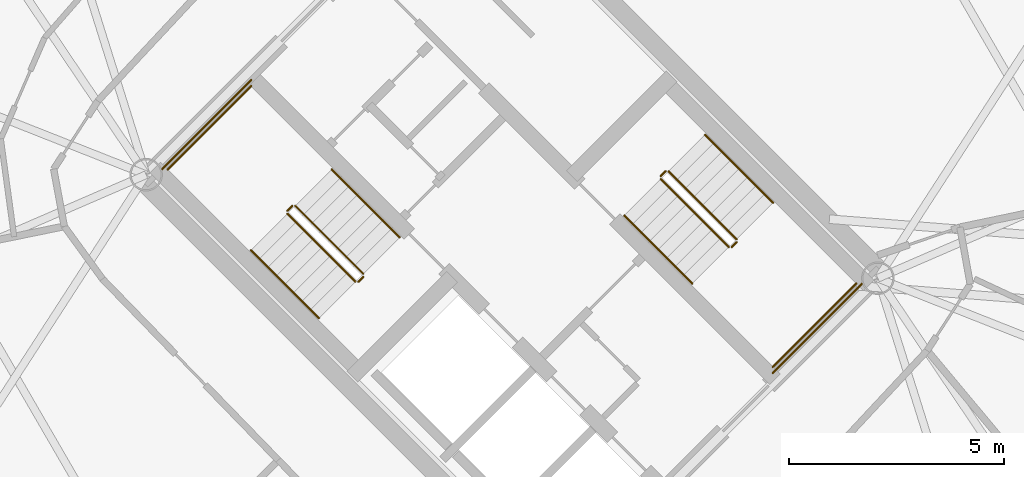
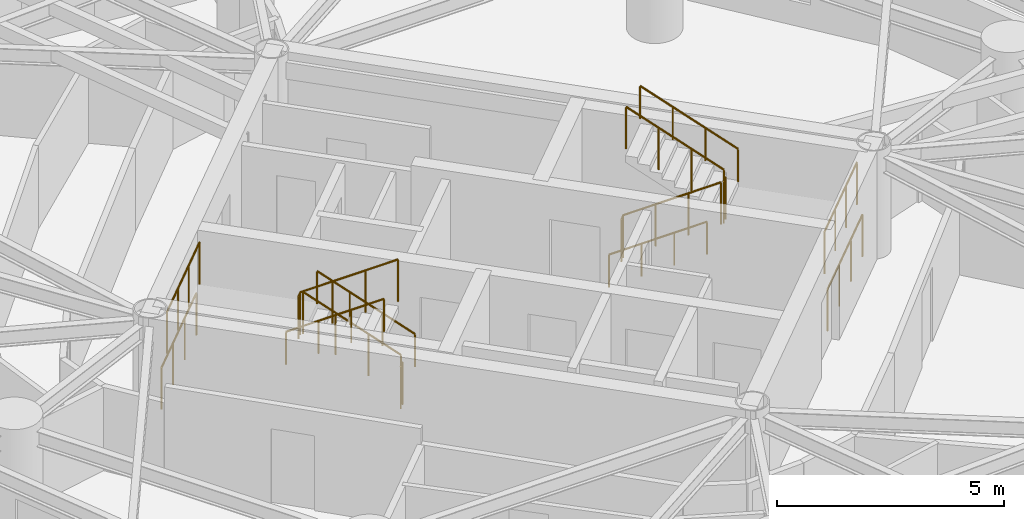
# One storey, part 17 of 18: 16 railings.
"""IFC4 building model written with IfcOpenShell, lengths in metres."""

from ifc_helpers import new_model, si_unit, direction, frame, origin, origin_2d, place, context, subcontext, project, spatial, circle, extrude, material, type_object, element, save


model = new_model("IFC4")

# Units and contexts
model_context = context("Model", 3, precision=1e-05, world=origin(), true_north=direction((0.0, 1.0)))
body_context = subcontext(model_context, "Body", "Model", "MODEL_VIEW")
ifc_project = project(units=[si_unit("LENGTHUNIT", "METRE"), si_unit("AREAUNIT", "SQUARE_METRE"), si_unit("VOLUMEUNIT", "CUBIC_METRE"), si_unit("PLANEANGLEUNIT", "RADIAN"), si_unit("MASSUNIT", "GRAM", prefix="KILO")], contexts=[model_context])

# Site, building, storey
site_placement = place(None, origin())
site = spatial("IfcSite", under=ifc_project, at=site_placement, CompositionType="ELEMENT")
building_placement = place(site_placement, origin())
building = spatial("IfcBuilding", under=site, at=building_placement, Name="Cununo Teusaquillo Station Towers", CompositionType="ELEMENT")
storey_placement = place(building_placement, frame((0.0, 0.0, 169.06005859375)))
storey = spatial("IfcBuildingStorey", under=building, at=storey_placement, Name="L53", CompositionType="ELEMENT", Elevation=169.06005859375)

# Railings
ifc_material_1 = material(Name="Steel EN 10025-2 S355J2", Category="steel")
railing_type_1 = type_object("IfcRailingType", Name="RL-INT-GUARD", PredefinedType="GUARDRAIL", material=ifc_material_1)
railing_1_placement = place(storey_placement, frame((54.03515625, 23.39697265625, 0.16162109375)))
element("IfcRailing", 1, at=railing_1_placement, inside=storey, type_object=railing_type_1, Name="L53 ST-T2-1 stair guard 1", PredefinedType="GUARDRAIL", context=body_context, shape_type="SweptSolid", body=[
    extrude(circle(Radius=0.02392578125, at=origin_2d()), frame((0.0, 0.0, 1.1259765625), z_axis=(-0.612361259024, 0.612361259024, 0.500027376144), x_axis=(-0.707106781187, -0.707106781187, 0.0)), (0.0, 0.0, 1.0), 2.586181640625),
    extrude(circle(Radius=0.02099609375, at=origin_2d()), origin(), (0.0, 0.0, 1.0), 1.101806640625),
    extrude(circle(Radius=0.02099609375, at=origin_2d()), frame((-0.52783203125, 0.52783203125, 0.43115234375)), (0.0, 0.0, 1.0), 1.101806640625),
    extrude(circle(Radius=0.02099609375, at=origin_2d()), frame((-1.055908203125, 1.055908203125, 0.862060546875)), (0.0, 0.0, 1.0), 1.101806640625),
    extrude(circle(Radius=0.02099609375, at=origin_2d()), frame((-1.583740234375, 1.583740234375, 1.293212890625)), (0.0, 0.0, 1.0), 1.101806640625),
])
railing_2_placement = place(storey_placement, frame((52.380615234375, 24.980712890625, 1.454833984375)))
element("IfcRailing", 2, at=railing_2_placement, inside=storey, type_object=railing_type_1, Name="L53 ST-T2-1 stair guard 2", PredefinedType="GUARDRAIL", context=body_context, shape_type="SweptSolid", body=[
    extrude(circle(Radius=0.02392578125, at=origin_2d()), frame((0.0, 0.0, 1.1259765625), z_axis=(-0.7078691598, -0.706343579714, 0.0), x_axis=(0.706343579714, -0.7078691598, 0.0)), (0.0, 0.0, 1.0), 0.159912109375),
    extrude(circle(Radius=0.02099609375, at=origin_2d()), origin(), (0.0, 0.0, 1.0), 1.101806640625),
    extrude(circle(Radius=0.02099609375, at=origin_2d()), frame((-0.11328125, -0.113037109375, 0.0)), (0.0, 0.0, 1.0), 1.101806640625),
])
railing_3_placement = place(storey_placement, frame((51.426025390625, 27.77392578125, 1.454833984375)))
element("IfcRailing", 3, at=railing_3_placement, inside=storey, type_object=railing_type_1, Name="L53 ST-T2-1 stair guard 3", PredefinedType="GUARDRAIL", context=body_context, shape_type="SweptSolid", body=[
    extrude(circle(Radius=0.02392578125, at=origin_2d()), frame((0.0, 0.0, 1.1259765625), z_axis=(-0.707106781187, -0.707106781187, 0.0), x_axis=(0.707106781187, -0.707106781187, 0.0)), (0.0, 0.0, 1.0), 2.760009765625),
    extrude(circle(Radius=0.02099609375, at=origin_2d()), origin(), (0.0, 0.0, 1.0), 1.101806640625),
    extrude(circle(Radius=0.02099609375, at=origin_2d()), frame((-0.650634765625, -0.650634765625, 0.0)), (0.0, 0.0, 1.0), 1.101806640625),
    extrude(circle(Radius=0.02099609375, at=origin_2d()), frame((-1.301025390625, -1.301025390625, 0.0)), (0.0, 0.0, 1.0), 1.101806640625),
    extrude(circle(Radius=0.02099609375, at=origin_2d()), frame((-1.95166015625, -1.95166015625, 0.0)), (0.0, 0.0, 1.0), 1.101806640625),
])
railing_4_placement = place(storey_placement, frame((52.267333984375, 24.796875, 1.61669921875)))
element("IfcRailing", 4, at=railing_4_placement, inside=storey, type_object=railing_type_1, Name="L53 ST-T2-1 stair guard 4", PredefinedType="GUARDRAIL", context=body_context, shape_type="SweptSolid", body=[
    extrude(circle(Radius=0.02392578125, at=origin_2d()), frame((0.0, 0.0, 1.1259765625), z_axis=(0.612420254088, -0.612325861324, 0.499998471934), x_axis=(0.707052281454, 0.707161276719, 0.0)), (0.0, 0.0, 1.0), 2.58642578125),
    extrude(circle(Radius=0.02099609375, at=origin_2d()), origin(), (0.0, 0.0, 1.0), 1.101806640625),
    extrude(circle(Radius=0.02099609375, at=origin_2d()), frame((0.528076171875, -0.52783203125, 0.43115234375)), (0.0, 0.0, 1.0), 1.101806640625),
    extrude(circle(Radius=0.02099609375, at=origin_2d()), frame((1.055908203125, -1.055908203125, 0.862060546875)), (0.0, 0.0, 1.0), 1.101806640625),
    extrude(circle(Radius=0.02099609375, at=origin_2d()), frame((1.583984375, -1.583740234375, 1.293212890625)), (0.0, 0.0, 1.0), 1.101806640625),
])
railing_5_placement = place(storey_placement, frame((54.03515625, 23.326171875, 0.0)))
element("IfcRailing", 5, at=railing_5_placement, inside=storey, type_object=railing_type_1, Name="L53 ST-T2-1 stair guard 5", PredefinedType="GUARDRAIL", context=body_context, shape_type="SweptSolid", body=[
    extrude(circle(Radius=0.02392578125, at=origin_2d()), frame((0.0, 0.0, 1.1259765625), z_axis=(-0.707106781187, -0.707106781187, 0.0), x_axis=(0.707106781187, -0.707106781187, 0.0)), (0.0, 0.0, 1.0), 0.159912109375),
    extrude(circle(Radius=0.02099609375, at=origin_2d()), origin(), (0.0, 0.0, 1.0), 1.101806640625),
    extrude(circle(Radius=0.02099609375, at=origin_2d()), frame((-0.113037109375, -0.113037109375, 0.0)), (0.0, 0.0, 1.0), 1.101806640625),
])
railing_6_placement = place(storey_placement, frame((51.426025390625, 27.915283203125, 0.0)))
element("IfcRailing", 6, at=railing_6_placement, inside=storey, type_object=railing_type_1, Name="L53 ST-T2-1 stair guard 6", PredefinedType="GUARDRAIL", context=body_context, shape_type="SweptSolid", body=[
    extrude(circle(Radius=0.02392578125, at=origin_2d()), frame((0.0, 0.0, 1.1259765625), z_axis=(-0.707106781187, -0.707106781187, 0.0), x_axis=(0.707106781187, -0.707106781187, 0.0)), (0.0, 0.0, 1.0), 2.9599609375),
    extrude(circle(Radius=0.02099609375, at=origin_2d()), origin(), (0.0, 0.0, 1.0), 1.101806640625),
    extrude(circle(Radius=0.02099609375, at=origin_2d()), frame((-0.69775390625, -0.69775390625, 0.0)), (0.0, 0.0, 1.0), 1.101806640625),
    extrude(circle(Radius=0.02099609375, at=origin_2d()), frame((-1.395263671875, -1.395263671875, 0.0)), (0.0, 0.0, 1.0), 1.101806640625),
    extrude(circle(Radius=0.02099609375, at=origin_2d()), frame((-2.093017578125, -2.093017578125, 0.0)), (0.0, 0.0, 1.0), 1.101806640625),
])
railing_7_placement = place(storey_placement, frame((60.96484375, 25.60302734375, 0.16162109375)))
element("IfcRailing", 7, at=railing_7_placement, inside=storey, type_object=railing_type_1, Name="L53 ST-T2-2 stair guard 1", PredefinedType="GUARDRAIL", context=body_context, shape_type="SweptSolid", body=[
    extrude(circle(Radius=0.02392578125, at=origin_2d()), frame((0.0, 0.0, 1.1259765625), z_axis=(0.612361259024, -0.612361259024, 0.500027376144), x_axis=(0.707106781187, 0.707106781187, 0.0)), (0.0, 0.0, 1.0), 2.586181640625),
    extrude(circle(Radius=0.02099609375, at=origin_2d()), origin(), (0.0, 0.0, 1.0), 1.101806640625),
    extrude(circle(Radius=0.02099609375, at=origin_2d()), frame((0.52783203125, -0.52783203125, 0.43115234375)), (0.0, 0.0, 1.0), 1.101806640625),
    extrude(circle(Radius=0.02099609375, at=origin_2d()), frame((1.055908203125, -1.055908203125, 0.862060546875)), (0.0, 0.0, 1.0), 1.101806640625),
    extrude(circle(Radius=0.02099609375, at=origin_2d()), frame((1.583740234375, -1.583740234375, 1.293212890625)), (0.0, 0.0, 1.0), 1.101806640625),
])
railing_8_placement = place(storey_placement, frame((62.619384765625, 24.019287109375, 1.454833984375)))
element("IfcRailing", 8, at=railing_8_placement, inside=storey, type_object=railing_type_1, Name="L53 ST-T2-2 stair guard 2", PredefinedType="GUARDRAIL", context=body_context, shape_type="SweptSolid", body=[
    extrude(circle(Radius=0.02392578125, at=origin_2d()), frame((0.0, 0.0, 1.1259765625), z_axis=(0.7078691598, 0.706343579714, 0.0), x_axis=(-0.706343579714, 0.7078691598, 0.0)), (0.0, 0.0, 1.0), 0.159912109375),
    extrude(circle(Radius=0.02099609375, at=origin_2d()), origin(), (0.0, 0.0, 1.0), 1.101806640625),
    extrude(circle(Radius=0.02099609375, at=origin_2d()), frame((0.11328125, 0.113037109375, 0.0)), (0.0, 0.0, 1.0), 1.101806640625),
])
railing_9_placement = place(storey_placement, frame((63.573974609375, 21.22607421875, 1.454833984375)))
element("IfcRailing", 9, at=railing_9_placement, inside=storey, type_object=railing_type_1, Name="L53 ST-T2-2 stair guard 3", PredefinedType="GUARDRAIL", context=body_context, shape_type="SweptSolid", body=[
    extrude(circle(Radius=0.02392578125, at=origin_2d()), frame((0.0, 0.0, 1.1259765625), z_axis=(0.707106781187, 0.707106781187, 0.0), x_axis=(-0.707106781187, 0.707106781187, 0.0)), (0.0, 0.0, 1.0), 2.760009765625),
    extrude(circle(Radius=0.02099609375, at=origin_2d()), origin(), (0.0, 0.0, 1.0), 1.101806640625),
    extrude(circle(Radius=0.02099609375, at=origin_2d()), frame((0.650634765625, 0.650634765625, 0.0)), (0.0, 0.0, 1.0), 1.101806640625),
    extrude(circle(Radius=0.02099609375, at=origin_2d()), frame((1.301025390625, 1.301025390625, 0.0)), (0.0, 0.0, 1.0), 1.101806640625),
    extrude(circle(Radius=0.02099609375, at=origin_2d()), frame((1.95166015625, 1.95166015625, 0.0)), (0.0, 0.0, 1.0), 1.101806640625),
])
railing_10_placement = place(storey_placement, frame((62.732666015625, 24.203125, 1.61669921875)))
element("IfcRailing", 10, at=railing_10_placement, inside=storey, type_object=railing_type_1, Name="L53 ST-T2-2 stair guard 4", PredefinedType="GUARDRAIL", context=body_context, shape_type="SweptSolid", body=[
    extrude(circle(Radius=0.02392578125, at=origin_2d()), frame((0.0, 0.0, 1.1259765625), z_axis=(-0.612420254088, 0.612325861324, 0.499998471934), x_axis=(-0.707052281454, -0.707161276719, 0.0)), (0.0, 0.0, 1.0), 2.58642578125),
    extrude(circle(Radius=0.02099609375, at=origin_2d()), origin(), (0.0, 0.0, 1.0), 1.101806640625),
    extrude(circle(Radius=0.02099609375, at=origin_2d()), frame((-0.528076171875, 0.52783203125, 0.43115234375)), (0.0, 0.0, 1.0), 1.101806640625),
    extrude(circle(Radius=0.02099609375, at=origin_2d()), frame((-1.055908203125, 1.055908203125, 0.862060546875)), (0.0, 0.0, 1.0), 1.101806640625),
    extrude(circle(Radius=0.02099609375, at=origin_2d()), frame((-1.583984375, 1.583740234375, 1.293212890625)), (0.0, 0.0, 1.0), 1.101806640625),
])
railing_11_placement = place(storey_placement, frame((60.96484375, 25.673828125, 0.0)))
element("IfcRailing", 11, at=railing_11_placement, inside=storey, type_object=railing_type_1, Name="L53 ST-T2-2 stair guard 5", PredefinedType="GUARDRAIL", context=body_context, shape_type="SweptSolid", body=[
    extrude(circle(Radius=0.02392578125, at=origin_2d()), frame((0.0, 0.0, 1.1259765625), z_axis=(0.707106781187, 0.707106781187, 0.0), x_axis=(-0.707106781187, 0.707106781187, 0.0)), (0.0, 0.0, 1.0), 0.159912109375),
    extrude(circle(Radius=0.02099609375, at=origin_2d()), origin(), (0.0, 0.0, 1.0), 1.101806640625),
    extrude(circle(Radius=0.02099609375, at=origin_2d()), frame((0.113037109375, 0.113037109375, 0.0)), (0.0, 0.0, 1.0), 1.101806640625),
])
railing_12_placement = place(storey_placement, frame((63.573974609375, 21.084716796875, 0.0)))
element("IfcRailing", 12, at=railing_12_placement, inside=storey, type_object=railing_type_1, Name="L53 ST-T2-2 stair guard 6", PredefinedType="GUARDRAIL", context=body_context, shape_type="SweptSolid", body=[
    extrude(circle(Radius=0.02392578125, at=origin_2d()), frame((0.0, 0.0, 1.1259765625), z_axis=(0.707106781187, 0.707106781187, 0.0), x_axis=(-0.707106781187, 0.707106781187, 0.0)), (0.0, 0.0, 1.0), 2.9599609375),
    extrude(circle(Radius=0.02099609375, at=origin_2d()), origin(), (0.0, 0.0, 1.0), 1.101806640625),
    extrude(circle(Radius=0.02099609375, at=origin_2d()), frame((0.69775390625, 0.69775390625, 0.0)), (0.0, 0.0, 1.0), 1.101806640625),
    extrude(circle(Radius=0.02099609375, at=origin_2d()), frame((1.395263671875, 1.395263671875, 0.0)), (0.0, 0.0, 1.0), 1.101806640625),
    extrude(circle(Radius=0.02099609375, at=origin_2d()), frame((2.093017578125, 2.093017578125, 0.0)), (0.0, 0.0, 1.0), 1.101806640625),
])
ifc_material_2 = material(Name="Steel EN 10025-2 S355J2", Category="steel")
railing_type_2 = type_object("IfcRailingType", Name="RL-INT-HRAIL", PredefinedType="HANDRAIL", material=ifc_material_2)
railing_13_placement = place(storey_placement, frame((54.8837890625, 24.245361328125, 0.16162109375)))
element("IfcRailing", 13, at=railing_13_placement, inside=storey, type_object=railing_type_2, Name="L53 ST-T2-1 stair handrail 1", PredefinedType="HANDRAIL", context=body_context, shape_type="SweptSolid", body=[
    extrude(circle(Radius=0.02392578125, at=origin_2d()), frame((0.0, 0.0, 0.8759765625), z_axis=(-0.612384857071, 0.612384857071, 0.499969572735), x_axis=(-0.707106781187, -0.707106781187, 0.0)), (0.0, 0.0, 1.0), 2.586669921875),
    extrude(circle(Radius=0.02099609375, at=origin_2d()), origin(), (0.0, 0.0, 1.0), 0.851806640625),
    extrude(circle(Radius=0.02099609375, at=origin_2d()), frame((-0.528076171875, 0.528076171875, 0.43115234375)), (0.0, 0.0, 1.0), 0.851806640625),
    extrude(circle(Radius=0.02099609375, at=origin_2d()), frame((-1.055908203125, 1.055908203125, 0.862060546875)), (0.0, 0.0, 1.0), 0.851806640625),
    extrude(circle(Radius=0.02099609375, at=origin_2d()), frame((-1.583984375, 1.583984375, 1.293212890625)), (0.0, 0.0, 1.0), 0.851806640625),
])
for number, where, name in (
    (14, (51.4189453125, 23.948486328125, 1.61669921875), "L53 ST-T2-1 stair handrail 2"),
    (15, (60.1162109375, 24.754638671875, 0.16162109375), "L53 ST-T2-2 stair handrail 1"),
):
    element("IfcRailing", number, at=place(storey_placement, frame(where)), inside=storey, type_object=railing_type_2, Name=name, PredefinedType="HANDRAIL", context=body_context, shape_type="SweptSolid", body=[
        extrude(circle(Radius=0.02392578125, at=origin_2d()), frame((0.0, 0.0, 0.8759765625), z_axis=(0.612384857071, -0.612384857071, 0.499969572735), x_axis=(0.707106781187, 0.707106781187, 0.0)), (0.0, 0.0, 1.0), 2.586669921875),
        extrude(circle(Radius=0.02099609375, at=origin_2d()), origin(), (0.0, 0.0, 1.0), 0.851806640625),
        extrude(circle(Radius=0.02099609375, at=origin_2d()), frame((0.528076171875, -0.528076171875, 0.43115234375)), (0.0, 0.0, 1.0), 0.851806640625),
        extrude(circle(Radius=0.02099609375, at=origin_2d()), frame((1.055908203125, -1.055908203125, 0.862060546875)), (0.0, 0.0, 1.0), 0.851806640625),
        extrude(circle(Radius=0.02099609375, at=origin_2d()), frame((1.583984375, -1.583984375, 1.293212890625)), (0.0, 0.0, 1.0), 0.851806640625),
    ])
railing_14_placement = place(storey_placement, frame((63.5810546875, 25.051513671875, 1.61669921875)))
element("IfcRailing", 16, at=railing_14_placement, inside=storey, type_object=railing_type_2, Name="L53 ST-T2-2 stair handrail 2", PredefinedType="HANDRAIL", context=body_context, shape_type="SweptSolid", body=[
    extrude(circle(Radius=0.02392578125, at=origin_2d()), frame((0.0, 0.0, 0.8759765625), z_axis=(-0.612384857071, 0.612384857071, 0.499969572735), x_axis=(-0.707106781187, -0.707106781187, 0.0)), (0.0, 0.0, 1.0), 2.586669921875),
    extrude(circle(Radius=0.02099609375, at=origin_2d()), origin(), (0.0, 0.0, 1.0), 0.851806640625),
    extrude(circle(Radius=0.02099609375, at=origin_2d()), frame((-0.528076171875, 0.528076171875, 0.43115234375)), (0.0, 0.0, 1.0), 0.851806640625),
    extrude(circle(Radius=0.02099609375, at=origin_2d()), frame((-1.055908203125, 1.055908203125, 0.862060546875)), (0.0, 0.0, 1.0), 0.851806640625),
    extrude(circle(Radius=0.02099609375, at=origin_2d()), frame((-1.583984375, 1.583984375, 1.293212890625)), (0.0, 0.0, 1.0), 0.851806640625),
])

save(model, "model.ifc")
